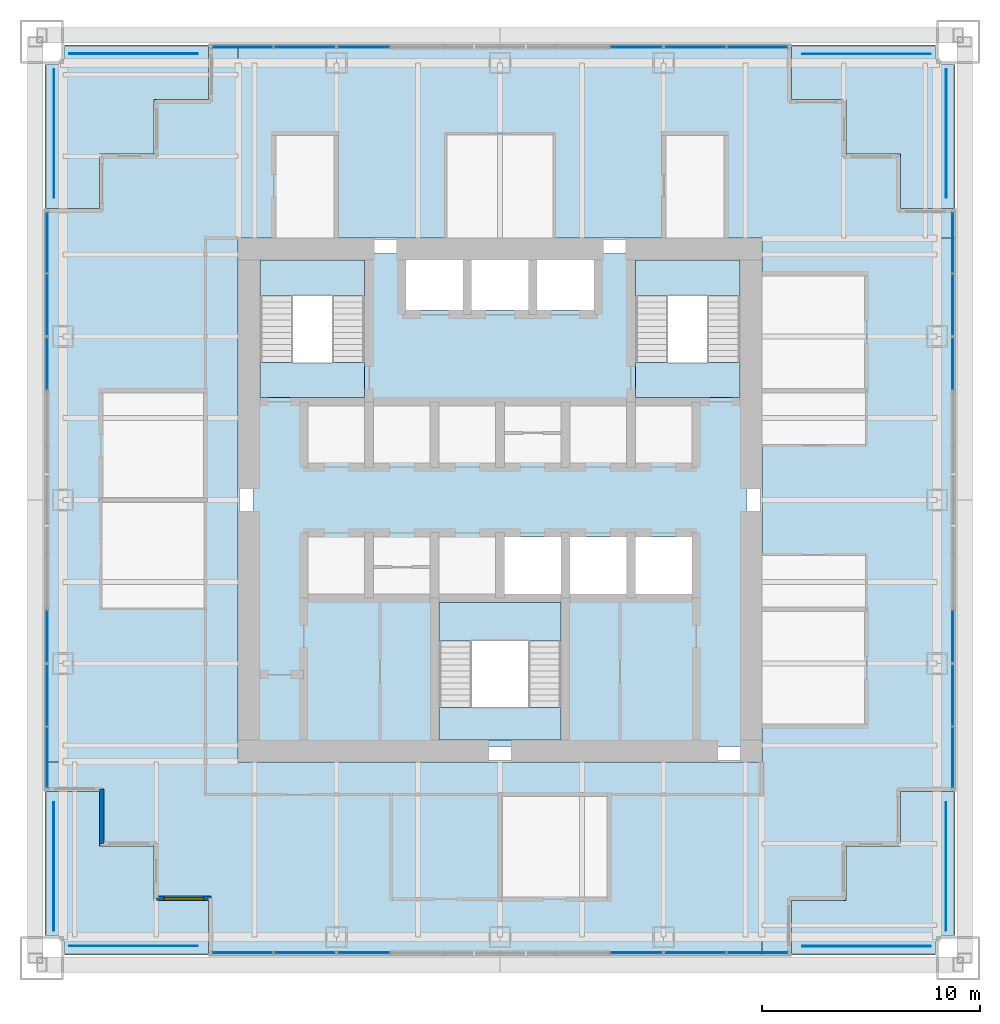
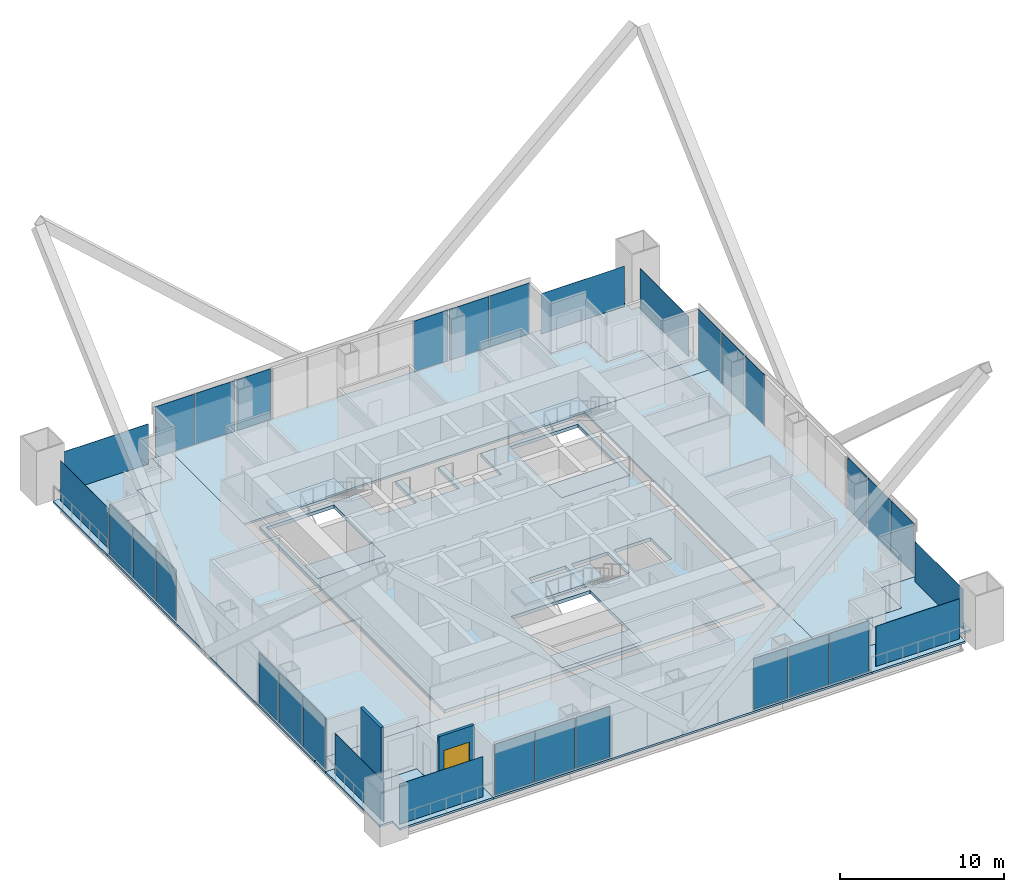
# One storey, part 11 of 17: 32 plates, 15 slabs, 2 walls, 1 window, 1 opening, 19 elements without a shape of their own.
"""IFC4 building model written with IfcOpenShell, lengths in metres."""

from ifc_helpers import new_model, si_unit, direction, frame, frame_2d, origin, origin_2d, place, context, subcontext, project, spatial, polyline, rectangle, outline, extrude, material, layer, layer_set, type_object, element, fill, aggregate, save


model = new_model("IFC4")

# Units and contexts
model_context = context("Model", 3, precision=1e-05, world=origin(), true_north=direction((0.0, 1.0)))
body_context = subcontext(model_context, "Body", "Model", "MODEL_VIEW")
ifc_project = project(units=[si_unit("LENGTHUNIT", "METRE"), si_unit("AREAUNIT", "SQUARE_METRE"), si_unit("VOLUMEUNIT", "CUBIC_METRE"), si_unit("PLANEANGLEUNIT", "RADIAN"), si_unit("MASSUNIT", "GRAM", prefix="KILO")], contexts=[model_context])

# Site, building, storey
site_placement = place(None, origin())
site = spatial("IfcSite", under=ifc_project, at=site_placement, CompositionType="ELEMENT")
building_placement = place(site_placement, origin())
building = spatial("IfcBuilding", under=site, at=building_placement, Name="Tarangal Relay Tower", CompositionType="ELEMENT")
storey_placement = place(building_placement, frame((0.0, 0.0, 315.89990234375)))
storey = spatial("IfcBuildingStorey", under=building, at=storey_placement, Name="L70", CompositionType="ELEMENT", Elevation=315.89990234375)

# Slabs
ifc_material_1 = material(Name="Concrete fc' 35 MPa", Category="concrete")
ifc_layer_1 = layer(ifc_material_1, 0.25)
ifc_layer_set_1 = layer_set([ifc_layer_1], Name="Core floor slab 250")
slab_type_1 = type_object("IfcSlabType", Name="Core floor slab 250", PredefinedType="FLOOR", material=ifc_layer_set_1)
slab_1_placement = place(storey_placement, frame((0.0, 0.0, -0.25)))
element("IfcSlab", 1, at=slab_1_placement, inside=storey, type_object=slab_type_1, Name="Core floor slab L70", PredefinedType="FLOOR", context=body_context, shape_type="SweptSolid", body=[
    extrude(outline(polyline([(11.300048828125, 11.300048828125), (11.300048828125, -11.300048828125), (-11.300048828125, -11.300048828125), (-11.300048828125, 11.300048828125), (-4.300048828125, 11.300048828125), (-4.300048828125, 8.699951171875), (-1.699951171875, 8.699951171875), (-1.699951171875, 11.300048828125), (-1.300048828125, 11.300048828125), (-1.300048828125, 8.699951171875), (1.300048828125, 8.699951171875), (1.300048828125, 11.300048828125), (1.699951171875, 11.300048828125), (1.699951171875, 8.699951171875), (4.300048828125, 8.699951171875), (4.300048828125, 11.300048828125), (11.300048828125, 11.300048828125)]), holes=[polyline([(2.800048828125, -4.699951171875), (-2.800048828125, -4.699951171875), (-2.800048828125, -11.0), (2.800048828125, -11.0), (2.800048828125, -4.699951171875)]), polyline([(2.800048828125, -1.699951171875), (0.199951171875, -1.699951171875), (0.199951171875, -4.300048828125), (2.800048828125, -4.300048828125), (2.800048828125, -1.699951171875)]), polyline([(5.800048828125, -1.699951171875), (3.199951171875, -1.699951171875), (3.199951171875, -4.300048828125), (5.800048828125, -4.300048828125), (5.800048828125, -1.699951171875)]), polyline([(8.800048828125, -1.699951171875), (6.199951171875, -1.699951171875), (6.199951171875, -4.300048828125), (8.800048828125, -4.300048828125), (8.800048828125, -1.699951171875)]), polyline([(-6.199951171875, 11.0), (-11.0, 11.0), (-11.0, 4.699951171875), (-6.199951171875, 4.699951171875), (-6.199951171875, 11.0)]), polyline([(11.0, 11.0), (6.199951171875, 11.0), (6.199951171875, 4.699951171875), (11.0, 4.699951171875), (11.0, 11.0)])]), origin(), (0.0, 0.0, 1.0), 0.25),
])
ifc_layer_2 = layer(ifc_material_1, 0.14990234375)
ifc_layer_set_2 = layer_set([ifc_layer_2], Name="Floor slab 150")
slab_type_2 = type_object("IfcSlabType", Name="Floor slab 150", PredefinedType="FLOOR", material=ifc_layer_set_2)
slab_2_placement = place(storey_placement, frame((0.0, 0.0, -0.14990234375)))
element("IfcSlab", 2, at=slab_2_placement, inside=storey, type_object=slab_type_2, Name="Floor slab FS3 L70 north bay", PredefinedType="FLOOR", context=body_context, shape_type="SweptSolid", body=[
    extrude(outline(polyline([(13.35009765625, 20.85009765625), (13.35009765625, 18.35009765625), (15.85009765625, 18.35009765625), (15.85009765625, 15.85009765625), (18.35009765625, 15.85009765625), (18.35009765625, 13.35009765625), (20.85009765625, 13.35009765625), (20.85009765625, 12.0), (-12.0, 12.0), (-12.0, 20.85009765625), (13.35009765625, 20.85009765625)])), origin(), (0.0, 0.0, 1.0), 0.14990234375),
])
slab_3_placement = place(storey_placement, frame((0.0, 0.0, -0.14990234375)))
element("IfcSlab", 3, at=slab_3_placement, inside=storey, type_object=slab_type_2, Name="Floor slab FS3 L70 east bay", PredefinedType="FLOOR", context=body_context, shape_type="SweptSolid", body=[
    extrude(outline(polyline([(20.85009765625, -13.35009765625), (18.35009765625, -13.35009765625), (18.35009765625, -15.85009765625), (15.85009765625, -15.85009765625), (15.85009765625, -18.35009765625), (13.35009765625, -18.35009765625), (13.35009765625, -20.85009765625), (12.0, -20.85009765625), (12.0, 12.0), (20.85009765625, 12.0), (20.85009765625, -13.35009765625)])), origin(), (0.0, 0.0, 1.0), 0.14990234375),
])
slab_4_placement = place(storey_placement, frame((0.0, 0.0, -0.14990234375)))
element("IfcSlab", 4, at=slab_4_placement, inside=storey, type_object=slab_type_2, Name="Floor slab FS3 L70 south bay", PredefinedType="FLOOR", context=body_context, shape_type="SweptSolid", body=[
    extrude(outline(polyline([(-13.35009765625, -20.85009765625), (-13.35009765625, -18.35009765625), (-15.85009765625, -18.35009765625), (-15.85009765625, -15.85009765625), (-18.35009765625, -15.85009765625), (-18.35009765625, -13.35009765625), (-20.85009765625, -13.35009765625), (-20.85009765625, -12.0), (12.0, -12.0), (12.0, -20.85009765625), (-13.35009765625, -20.85009765625)])), origin(), (0.0, 0.0, 1.0), 0.14990234375),
])
slab_5_placement = place(storey_placement, frame((0.0, 0.0, -0.14990234375)))
element("IfcSlab", 5, at=slab_5_placement, inside=storey, type_object=slab_type_2, Name="Floor slab FS3 L70 west bay", PredefinedType="FLOOR", context=body_context, shape_type="SweptSolid", body=[
    extrude(outline(polyline([(-12.0, 20.85009765625), (-12.0, -12.0), (-20.85009765625, -12.0), (-20.85009765625, 13.35009765625), (-18.35009765625, 13.35009765625), (-18.35009765625, 15.85009765625), (-15.85009765625, 15.85009765625), (-15.85009765625, 18.35009765625), (-13.35009765625, 18.35009765625), (-13.35009765625, 20.85009765625), (-12.0, 20.85009765625)])), origin(), (0.0, 0.0, 1.0), 0.14990234375),
])

# Curtain wall, plates
ifc_material_2 = material(Name="Unitised curtain wall, dark glass and black aluminium", Category="aluminium")
curtain_wall_type = type_object("IfcCurtainWallType", Name="Curtain wall CW-B", PredefinedType="USERDEFINED", material=ifc_material_2)
curtain_wall_1_placement = place(storey_placement, origin())
curtain_wall_1 = element("IfcCurtainWall", 6, at=curtain_wall_1_placement, inside=storey, type_object=curtain_wall_type, Name="Curtain wall CW-B N facade L70", ObjectType="UNITISED CURTAIN WALL", PredefinedType="USERDEFINED")
ifc_material_3 = material(Name="Dark tinted insulated glass unit", Category="glass")
ifc_layer_3 = layer(ifc_material_3, 0.030029296875)
ifc_layer_set_3 = layer_set([ifc_layer_3], Name="Glazed panel CW-B 30")
plate_type_1 = type_object("IfcPlateType", Name="Glazed panel CW-B 30", PredefinedType="CURTAIN_PANEL", material=ifc_layer_set_3)
plate_1_placement = place(storey_placement, frame((-11.797607421875, 20.75, 0.06005859375), z_axis=(0.0, 0.0, 1.0), x_axis=(1.0, 0.0, 0.0)))
plate_1 = element("IfcPlate", 7, at=plate_1_placement, type_object=plate_type_1, Name="CW-B panel 1.1", PredefinedType="CURTAIN_PANEL", context=body_context, shape_type="SweptSolid", body=[
    extrude(rectangle(XDim=2.784912109375, YDim=0.030029296875, at=origin_2d()), origin(), (0.0, 0.0, 1.0), 3.7900390625),
])
plate_2_placement = place(storey_placement, frame((-8.952392578125, 20.75, 0.06005859375), z_axis=(0.0, 0.0, 1.0), x_axis=(1.0, 0.0, 0.0)))
plate_2 = element("IfcPlate", 8, at=plate_2_placement, type_object=plate_type_1, Name="CW-B panel 2.1", PredefinedType="CURTAIN_PANEL", context=body_context, shape_type="SweptSolid", body=[
    extrude(rectangle(XDim=2.784912109375, YDim=0.030029296875, at=origin_2d()), origin(), (0.0, 0.0, 1.0), 3.7900390625),
])
aggregate(curtain_wall_1, [plate_1, plate_2])

# Curtain wall, plate
curtain_wall_2_placement = place(storey_placement, origin())
curtain_wall_2 = element("IfcCurtainWall", 9, at=curtain_wall_2_placement, inside=storey, type_object=curtain_wall_type, Name="Curtain wall CW-B N facade L70", ObjectType="UNITISED CURTAIN WALL", PredefinedType="USERDEFINED")
plate_3_placement = place(storey_placement, frame((-6.25, 20.75, 0.06005859375), z_axis=(0.0, 0.0, 1.0), x_axis=(1.0, 0.0, 0.0)))
plate_3 = element("IfcPlate", 10, at=plate_3_placement, type_object=plate_type_1, Name="CW-B panel 1.1", PredefinedType="CURTAIN_PANEL", context=body_context, shape_type="SweptSolid", body=[
    extrude(rectangle(XDim=2.3798828125, YDim=0.030029296875, at=origin_2d()), origin(), (0.0, 0.0, 1.0), 3.7900390625),
])
aggregate(curtain_wall_2, [plate_3])

curtain_wall_3_placement = place(storey_placement, origin())
curtain_wall_3 = element("IfcCurtainWall", 11, at=curtain_wall_3_placement, inside=storey, type_object=curtain_wall_type, Name="Curtain wall CW-B N facade L70", ObjectType="UNITISED CURTAIN WALL", PredefinedType="USERDEFINED")
plate_4_placement = place(storey_placement, frame((6.25, 20.75, 0.06005859375), z_axis=(0.0, 0.0, 1.0), x_axis=(1.0, 0.0, 0.0)))
plate_4 = element("IfcPlate", 12, at=plate_4_placement, type_object=plate_type_1, Name="CW-B panel 1.1", PredefinedType="CURTAIN_PANEL", context=body_context, shape_type="SweptSolid", body=[
    extrude(rectangle(XDim=2.3798828125, YDim=0.030029296875, at=origin_2d()), origin(), (0.0, 0.0, 1.0), 3.7900390625),
])
aggregate(curtain_wall_3, [plate_4])

# Curtain wall, plates
curtain_wall_4_placement = place(storey_placement, origin())
curtain_wall_4 = element("IfcCurtainWall", 13, at=curtain_wall_4_placement, inside=storey, type_object=curtain_wall_type, Name="Curtain wall CW-B N facade L70", ObjectType="UNITISED CURTAIN WALL", PredefinedType="USERDEFINED")
plate_5_placement = place(storey_placement, frame((8.952392578125, 20.75, 0.06005859375), z_axis=(0.0, 0.0, 1.0), x_axis=(1.0, 0.0, 0.0)))
plate_5 = element("IfcPlate", 14, at=plate_5_placement, type_object=plate_type_1, Name="CW-B panel 1.1", PredefinedType="CURTAIN_PANEL", context=body_context, shape_type="SweptSolid", body=[
    extrude(rectangle(XDim=2.784912109375, YDim=0.030029296875, at=origin_2d()), origin(), (0.0, 0.0, 1.0), 3.7900390625),
])
plate_6_placement = place(storey_placement, frame((11.797607421875, 20.75, 0.06005859375), z_axis=(0.0, 0.0, 1.0), x_axis=(1.0, 0.0, 0.0)))
plate_6 = element("IfcPlate", 15, at=plate_6_placement, type_object=plate_type_1, Name="CW-B panel 2.1", PredefinedType="CURTAIN_PANEL", context=body_context, shape_type="SweptSolid", body=[
    extrude(rectangle(XDim=2.784912109375, YDim=0.030029296875, at=origin_2d()), origin(), (0.0, 0.0, 1.0), 3.7900390625),
])
aggregate(curtain_wall_4, [plate_5, plate_6])

curtain_wall_5_placement = place(storey_placement, origin())
curtain_wall_5 = element("IfcCurtainWall", 16, at=curtain_wall_5_placement, inside=storey, type_object=curtain_wall_type, Name="Curtain wall CW-B E facade L70", ObjectType="UNITISED CURTAIN WALL", PredefinedType="USERDEFINED")
plate_7_placement = place(storey_placement, frame((20.75, 11.797607421875, 0.06005859375), z_axis=(0.0, 0.0, 1.0), x_axis=(0.0, -1.0, 0.0)))
plate_7 = element("IfcPlate", 17, at=plate_7_placement, type_object=plate_type_1, Name="CW-B panel 1.1", PredefinedType="CURTAIN_PANEL", context=body_context, shape_type="SweptSolid", body=[
    extrude(rectangle(XDim=2.784912109375, YDim=0.030029296875, at=origin_2d()), origin(), (0.0, 0.0, 1.0), 3.7900390625),
])
plate_8_placement = place(storey_placement, frame((20.75, 8.952392578125, 0.06005859375), z_axis=(0.0, 0.0, 1.0), x_axis=(0.0, -1.0, 0.0)))
plate_8 = element("IfcPlate", 18, at=plate_8_placement, type_object=plate_type_1, Name="CW-B panel 2.1", PredefinedType="CURTAIN_PANEL", context=body_context, shape_type="SweptSolid", body=[
    extrude(rectangle(XDim=2.784912109375, YDim=0.030029296875, at=origin_2d()), origin(), (0.0, 0.0, 1.0), 3.7900390625),
])
aggregate(curtain_wall_5, [plate_7, plate_8])

# Curtain wall, plate
curtain_wall_6_placement = place(storey_placement, origin())
curtain_wall_6 = element("IfcCurtainWall", 19, at=curtain_wall_6_placement, inside=storey, type_object=curtain_wall_type, Name="Curtain wall CW-B E facade L70", ObjectType="UNITISED CURTAIN WALL", PredefinedType="USERDEFINED")
plate_9_placement = place(storey_placement, frame((20.75, 6.25, 0.06005859375), z_axis=(0.0, 0.0, 1.0), x_axis=(0.0, -1.0, 0.0)))
plate_9 = element("IfcPlate", 20, at=plate_9_placement, type_object=plate_type_1, Name="CW-B panel 1.1", PredefinedType="CURTAIN_PANEL", context=body_context, shape_type="SweptSolid", body=[
    extrude(rectangle(XDim=2.3798828125, YDim=0.030029296875, at=origin_2d()), origin(), (0.0, 0.0, 1.0), 3.7900390625),
])
aggregate(curtain_wall_6, [plate_9])

curtain_wall_7_placement = place(storey_placement, origin())
curtain_wall_7 = element("IfcCurtainWall", 21, at=curtain_wall_7_placement, inside=storey, type_object=curtain_wall_type, Name="Curtain wall CW-B E facade L70", ObjectType="UNITISED CURTAIN WALL", PredefinedType="USERDEFINED")
plate_10_placement = place(storey_placement, frame((20.75, -6.25, 0.06005859375), z_axis=(0.0, 0.0, 1.0), x_axis=(0.0, -1.0, 0.0)))
plate_10 = element("IfcPlate", 22, at=plate_10_placement, type_object=plate_type_1, Name="CW-B panel 1.1", PredefinedType="CURTAIN_PANEL", context=body_context, shape_type="SweptSolid", body=[
    extrude(rectangle(XDim=2.3798828125, YDim=0.030029296875, at=origin_2d()), origin(), (0.0, 0.0, 1.0), 3.7900390625),
])
aggregate(curtain_wall_7, [plate_10])

# Curtain wall, plates
curtain_wall_8_placement = place(storey_placement, origin())
curtain_wall_8 = element("IfcCurtainWall", 23, at=curtain_wall_8_placement, inside=storey, type_object=curtain_wall_type, Name="Curtain wall CW-B E facade L70", ObjectType="UNITISED CURTAIN WALL", PredefinedType="USERDEFINED")
plate_11_placement = place(storey_placement, frame((20.75, -8.952392578125, 0.06005859375), z_axis=(0.0, 0.0, 1.0), x_axis=(0.0, -1.0, 0.0)))
plate_11 = element("IfcPlate", 24, at=plate_11_placement, type_object=plate_type_1, Name="CW-B panel 1.1", PredefinedType="CURTAIN_PANEL", context=body_context, shape_type="SweptSolid", body=[
    extrude(rectangle(XDim=2.784912109375, YDim=0.030029296875, at=origin_2d()), origin(), (0.0, 0.0, 1.0), 3.7900390625),
])
plate_12_placement = place(storey_placement, frame((20.75, -11.797607421875, 0.06005859375), z_axis=(0.0, 0.0, 1.0), x_axis=(0.0, -1.0, 0.0)))
plate_12 = element("IfcPlate", 25, at=plate_12_placement, type_object=plate_type_1, Name="CW-B panel 2.1", PredefinedType="CURTAIN_PANEL", context=body_context, shape_type="SweptSolid", body=[
    extrude(rectangle(XDim=2.784912109375, YDim=0.030029296875, at=origin_2d()), origin(), (0.0, 0.0, 1.0), 3.7900390625),
])
aggregate(curtain_wall_8, [plate_11, plate_12])

curtain_wall_9_placement = place(storey_placement, origin())
curtain_wall_9 = element("IfcCurtainWall", 26, at=curtain_wall_9_placement, inside=storey, type_object=curtain_wall_type, Name="Curtain wall CW-B S facade L70", ObjectType="UNITISED CURTAIN WALL", PredefinedType="USERDEFINED")
plate_13_placement = place(storey_placement, frame((11.797607421875, -20.75, 0.06005859375), z_axis=(0.0, 0.0, 1.0), x_axis=(-1.0, 0.0, 0.0)))
plate_13 = element("IfcPlate", 27, at=plate_13_placement, type_object=plate_type_1, Name="CW-B panel 1.1", PredefinedType="CURTAIN_PANEL", context=body_context, shape_type="SweptSolid", body=[
    extrude(rectangle(XDim=2.784912109375, YDim=0.030029296875, at=origin_2d()), origin(), (0.0, 0.0, 1.0), 3.7900390625),
])
plate_14_placement = place(storey_placement, frame((8.952392578125, -20.75, 0.06005859375), z_axis=(0.0, 0.0, 1.0), x_axis=(-1.0, 0.0, 0.0)))
plate_14 = element("IfcPlate", 28, at=plate_14_placement, type_object=plate_type_1, Name="CW-B panel 2.1", PredefinedType="CURTAIN_PANEL", context=body_context, shape_type="SweptSolid", body=[
    extrude(rectangle(XDim=2.784912109375, YDim=0.030029296875, at=origin_2d()), origin(), (0.0, 0.0, 1.0), 3.7900390625),
])
aggregate(curtain_wall_9, [plate_13, plate_14])

# Curtain wall, plate
curtain_wall_10_placement = place(storey_placement, origin())
curtain_wall_10 = element("IfcCurtainWall", 29, at=curtain_wall_10_placement, inside=storey, type_object=curtain_wall_type, Name="Curtain wall CW-B S facade L70", ObjectType="UNITISED CURTAIN WALL", PredefinedType="USERDEFINED")
plate_15_placement = place(storey_placement, frame((6.25, -20.75, 0.06005859375), z_axis=(0.0, 0.0, 1.0), x_axis=(-1.0, 0.0, 0.0)))
plate_15 = element("IfcPlate", 30, at=plate_15_placement, type_object=plate_type_1, Name="CW-B panel 1.1", PredefinedType="CURTAIN_PANEL", context=body_context, shape_type="SweptSolid", body=[
    extrude(rectangle(XDim=2.3798828125, YDim=0.030029296875, at=origin_2d()), origin(), (0.0, 0.0, 1.0), 3.7900390625),
])
aggregate(curtain_wall_10, [plate_15])

curtain_wall_11_placement = place(storey_placement, origin())
curtain_wall_11 = element("IfcCurtainWall", 31, at=curtain_wall_11_placement, inside=storey, type_object=curtain_wall_type, Name="Curtain wall CW-B S facade L70", ObjectType="UNITISED CURTAIN WALL", PredefinedType="USERDEFINED")
plate_16_placement = place(storey_placement, frame((-6.25, -20.75, 0.06005859375), z_axis=(0.0, 0.0, 1.0), x_axis=(-1.0, 0.0, 0.0)))
plate_16 = element("IfcPlate", 32, at=plate_16_placement, type_object=plate_type_1, Name="CW-B panel 1.1", PredefinedType="CURTAIN_PANEL", context=body_context, shape_type="SweptSolid", body=[
    extrude(rectangle(XDim=2.3798828125, YDim=0.030029296875, at=origin_2d()), origin(), (0.0, 0.0, 1.0), 3.7900390625),
])
aggregate(curtain_wall_11, [plate_16])

# Curtain wall, plates
curtain_wall_12_placement = place(storey_placement, origin())
curtain_wall_12 = element("IfcCurtainWall", 33, at=curtain_wall_12_placement, inside=storey, type_object=curtain_wall_type, Name="Curtain wall CW-B S facade L70", ObjectType="UNITISED CURTAIN WALL", PredefinedType="USERDEFINED")
plate_17_placement = place(storey_placement, frame((-8.952392578125, -20.75, 0.06005859375), z_axis=(0.0, 0.0, 1.0), x_axis=(-1.0, 0.0, 0.0)))
plate_17 = element("IfcPlate", 34, at=plate_17_placement, type_object=plate_type_1, Name="CW-B panel 1.1", PredefinedType="CURTAIN_PANEL", context=body_context, shape_type="SweptSolid", body=[
    extrude(rectangle(XDim=2.784912109375, YDim=0.030029296875, at=origin_2d()), origin(), (0.0, 0.0, 1.0), 3.7900390625),
])
plate_18_placement = place(storey_placement, frame((-11.797607421875, -20.75, 0.06005859375), z_axis=(0.0, 0.0, 1.0), x_axis=(-1.0, 0.0, 0.0)))
plate_18 = element("IfcPlate", 35, at=plate_18_placement, type_object=plate_type_1, Name="CW-B panel 2.1", PredefinedType="CURTAIN_PANEL", context=body_context, shape_type="SweptSolid", body=[
    extrude(rectangle(XDim=2.784912109375, YDim=0.030029296875, at=origin_2d()), origin(), (0.0, 0.0, 1.0), 3.7900390625),
])
aggregate(curtain_wall_12, [plate_17, plate_18])

curtain_wall_13_placement = place(storey_placement, origin())
curtain_wall_13 = element("IfcCurtainWall", 36, at=curtain_wall_13_placement, inside=storey, type_object=curtain_wall_type, Name="Curtain wall CW-B W facade L70", ObjectType="UNITISED CURTAIN WALL", PredefinedType="USERDEFINED")
plate_19_placement = place(storey_placement, frame((-20.75, -11.797607421875, 0.06005859375), z_axis=(0.0, 0.0, 1.0), x_axis=(0.0, 1.0, 0.0)))
plate_19 = element("IfcPlate", 37, at=plate_19_placement, type_object=plate_type_1, Name="CW-B panel 1.1", PredefinedType="CURTAIN_PANEL", context=body_context, shape_type="SweptSolid", body=[
    extrude(rectangle(XDim=2.784912109375, YDim=0.030029296875, at=origin_2d()), origin(), (0.0, 0.0, 1.0), 3.7900390625),
])
plate_20_placement = place(storey_placement, frame((-20.75, -8.952392578125, 0.06005859375), z_axis=(0.0, 0.0, 1.0), x_axis=(0.0, 1.0, 0.0)))
plate_20 = element("IfcPlate", 38, at=plate_20_placement, type_object=plate_type_1, Name="CW-B panel 2.1", PredefinedType="CURTAIN_PANEL", context=body_context, shape_type="SweptSolid", body=[
    extrude(rectangle(XDim=2.784912109375, YDim=0.030029296875, at=origin_2d()), origin(), (0.0, 0.0, 1.0), 3.7900390625),
])
aggregate(curtain_wall_13, [plate_19, plate_20])

# Curtain wall, plate
curtain_wall_14_placement = place(storey_placement, origin())
curtain_wall_14 = element("IfcCurtainWall", 39, at=curtain_wall_14_placement, inside=storey, type_object=curtain_wall_type, Name="Curtain wall CW-B W facade L70", ObjectType="UNITISED CURTAIN WALL", PredefinedType="USERDEFINED")
plate_21_placement = place(storey_placement, frame((-20.75, -6.25, 0.06005859375), z_axis=(0.0, 0.0, 1.0), x_axis=(0.0, 1.0, 0.0)))
plate_21 = element("IfcPlate", 40, at=plate_21_placement, type_object=plate_type_1, Name="CW-B panel 1.1", PredefinedType="CURTAIN_PANEL", context=body_context, shape_type="SweptSolid", body=[
    extrude(rectangle(XDim=2.3798828125, YDim=0.030029296875, at=origin_2d()), origin(), (0.0, 0.0, 1.0), 3.7900390625),
])
aggregate(curtain_wall_14, [plate_21])

curtain_wall_15_placement = place(storey_placement, origin())
curtain_wall_15 = element("IfcCurtainWall", 41, at=curtain_wall_15_placement, inside=storey, type_object=curtain_wall_type, Name="Curtain wall CW-B W facade L70", ObjectType="UNITISED CURTAIN WALL", PredefinedType="USERDEFINED")
plate_22_placement = place(storey_placement, frame((-20.75, 6.25, 0.06005859375), z_axis=(0.0, 0.0, 1.0), x_axis=(0.0, 1.0, 0.0)))
plate_22 = element("IfcPlate", 42, at=plate_22_placement, type_object=plate_type_1, Name="CW-B panel 1.1", PredefinedType="CURTAIN_PANEL", context=body_context, shape_type="SweptSolid", body=[
    extrude(rectangle(XDim=2.3798828125, YDim=0.030029296875, at=origin_2d()), origin(), (0.0, 0.0, 1.0), 3.7900390625),
])
aggregate(curtain_wall_15, [plate_22])

# Curtain wall, plates
curtain_wall_16_placement = place(storey_placement, origin())
curtain_wall_16 = element("IfcCurtainWall", 43, at=curtain_wall_16_placement, inside=storey, type_object=curtain_wall_type, Name="Curtain wall CW-B W facade L70", ObjectType="UNITISED CURTAIN WALL", PredefinedType="USERDEFINED")
plate_23_placement = place(storey_placement, frame((-20.75, 8.952392578125, 0.06005859375), z_axis=(0.0, 0.0, 1.0), x_axis=(0.0, 1.0, 0.0)))
plate_23 = element("IfcPlate", 44, at=plate_23_placement, type_object=plate_type_1, Name="CW-B panel 1.1", PredefinedType="CURTAIN_PANEL", context=body_context, shape_type="SweptSolid", body=[
    extrude(rectangle(XDim=2.784912109375, YDim=0.030029296875, at=origin_2d()), origin(), (0.0, 0.0, 1.0), 3.7900390625),
])
plate_24_placement = place(storey_placement, frame((-20.75, 11.797607421875, 0.06005859375), z_axis=(0.0, 0.0, 1.0), x_axis=(0.0, 1.0, 0.0)))
plate_24 = element("IfcPlate", 45, at=plate_24_placement, type_object=plate_type_1, Name="CW-B panel 2.1", PredefinedType="CURTAIN_PANEL", context=body_context, shape_type="SweptSolid", body=[
    extrude(rectangle(XDim=2.784912109375, YDim=0.030029296875, at=origin_2d()), origin(), (0.0, 0.0, 1.0), 3.7900390625),
])
aggregate(curtain_wall_16, [plate_23, plate_24])

# Plates
ifc_material_4 = material(Name="Black stainless steel cable trellis with climbing planting", Category="steel")
ifc_layer_4 = layer(ifc_material_4, 0.030029296875)
ifc_layer_set_4 = layer_set([ifc_layer_4], Name="Planted trellis screen")
plate_type_2 = type_object("IfcPlateType", Name="Planted trellis screen", PredefinedType="SHEET", material=ifc_layer_set_4)
for number, where, z_axis, x_axis, name in (
    (46, (20.449951171875, 16.800048828125, 0.0), (0.0, 0.0, 1.0), (0.0, -1.0, 0.0), "Planted trellis SC2 NE L70"),
    (47, (16.800048828125, -20.449951171875, 0.0), (0.0, 0.0, 1.0), (-1.0, 0.0, 0.0), "Planted trellis SC2 SE L70"),
    (48, (-20.449951171875, -16.800048828125, 0.0), (0.0, 0.0, 1.0), (0.0, 1.0, 0.0), "Planted trellis SC2 SW L70"),
    (49, (-16.800048828125, 20.449951171875, 0.0), (0.0, 0.0, 1.0), (1.0, 0.0, 0.0), "Planted trellis SC2 NW L70"),
):
    element("IfcPlate", number, at=place(storey_placement, frame(where, z_axis=z_axis, x_axis=x_axis)), inside=storey, type_object=plate_type_2, Name=name, PredefinedType="SHEET", context=body_context, shape_type="SweptSolid", body=[
        extrude(rectangle(XDim=5.89990234375, YDim=0.030029296875, at=origin_2d()), origin(), (0.0, 0.0, 1.0), 3.0),
    ])

# Stair, slabs
ifc_material_5 = material(Name="Steel ASTM A992 stair flight", Category="steel")
stair_type = type_object("IfcStairType", Name="Core stair 1500", PredefinedType="HALF_TURN_STAIR", material=ifc_material_5)
stair_1_placement = place(storey_placement, origin())
stair_1 = element("IfcStair", 50, at=stair_1_placement, inside=storey, type_object=stair_type, Name="Stair ST-A L70", PredefinedType="HALF_TURN_STAIR")
ifc_layer_5 = layer(ifc_material_1, 0.199951171875)
ifc_layer_set_5 = layer_set([ifc_layer_5], Name="Stair landing 200")
slab_type_3 = type_object("IfcSlabType", Name="Stair landing 200", PredefinedType="LANDING", material=ifc_layer_set_5)
slab_6_placement = place(storey_placement, frame((0.0, 0.0, -0.199951171875)))
slab_6 = element("IfcSlab", 51, at=slab_6_placement, type_object=slab_type_3, Name="ST-A landing 1", PredefinedType="LANDING", context=body_context, shape_type="SweptSolid", body=[
    extrude(outline(polyline([(-11.0, 4.699951171875), (-6.199951171875, 4.699951171875), (-6.199951171875, 6.300048828125), (-11.0, 6.300048828125), (-11.0, 4.699951171875)])), origin(), (0.0, 0.0, 1.0), 0.199951171875),
])
slab_7_placement = place(storey_placement, frame((0.0, 0.0, 1.800048828125)))
slab_7 = element("IfcSlab", 52, at=slab_7_placement, type_object=slab_type_3, Name="ST-A landing 2", PredefinedType="LANDING", context=body_context, shape_type="SweptSolid", body=[
    extrude(outline(polyline([(-11.0, 9.346923828125), (-6.199951171875, 9.346923828125), (-6.199951171875, 11.0), (-11.0, 11.0), (-11.0, 9.346923828125)])), origin(), (0.0, 0.0, 1.0), 0.199951171875),
])
aggregate(stair_1, [slab_6, slab_7])

stair_2_placement = place(storey_placement, origin())
stair_2 = element("IfcStair", 53, at=stair_2_placement, inside=storey, type_object=stair_type, Name="Stair ST-B L70", PredefinedType="HALF_TURN_STAIR")
slab_8_placement = place(storey_placement, frame((0.0, 0.0, -0.199951171875)))
slab_8 = element("IfcSlab", 54, at=slab_8_placement, type_object=slab_type_3, Name="ST-B landing 1", PredefinedType="LANDING", context=body_context, shape_type="SweptSolid", body=[
    extrude(outline(polyline([(6.199951171875, 4.699951171875), (11.0, 4.699951171875), (11.0, 6.300048828125), (6.199951171875, 6.300048828125), (6.199951171875, 4.699951171875)])), origin(), (0.0, 0.0, 1.0), 0.199951171875),
])
slab_9_placement = place(storey_placement, frame((0.0, 0.0, 1.800048828125)))
slab_9 = element("IfcSlab", 55, at=slab_9_placement, type_object=slab_type_3, Name="ST-B landing 2", PredefinedType="LANDING", context=body_context, shape_type="SweptSolid", body=[
    extrude(outline(polyline([(6.199951171875, 9.346923828125), (11.0, 9.346923828125), (11.0, 11.0), (6.199951171875, 11.0), (6.199951171875, 9.346923828125)])), origin(), (0.0, 0.0, 1.0), 0.199951171875),
])
aggregate(stair_2, [slab_8, slab_9])

stair_3_placement = place(storey_placement, origin())
stair_3 = element("IfcStair", 56, at=stair_3_placement, inside=storey, type_object=stair_type, Name="Stair ST-C L70", PredefinedType="HALF_TURN_STAIR")
slab_10_placement = place(storey_placement, frame((0.0, 0.0, -0.199951171875)))
slab_10 = element("IfcSlab", 57, at=slab_10_placement, type_object=slab_type_3, Name="ST-C landing 1", PredefinedType="LANDING", context=body_context, shape_type="SweptSolid", body=[
    extrude(outline(polyline([(-2.800048828125, -11.0), (2.800048828125, -11.0), (2.800048828125, -9.5), (-2.800048828125, -9.5), (-2.800048828125, -11.0)])), origin(), (0.0, 0.0, 1.0), 0.199951171875),
])
slab_11_placement = place(storey_placement, frame((0.0, 0.0, 1.800048828125)))
slab_11 = element("IfcSlab", 58, at=slab_11_placement, type_object=slab_type_3, Name="ST-C landing 2", PredefinedType="LANDING", context=body_context, shape_type="SweptSolid", body=[
    extrude(outline(polyline([(-2.800048828125, -6.452880859375), (2.800048828125, -6.452880859375), (2.800048828125, -4.699951171875), (-2.800048828125, -4.699951171875), (-2.800048828125, -6.452880859375)])), origin(), (0.0, 0.0, 1.0), 0.199951171875),
])
aggregate(stair_3, [slab_10, slab_11])

# Plates
ifc_material_6 = material(Name="Perforated black aluminium screen", Category="aluminium")
ifc_layer_6 = layer(ifc_material_6, 0.02001953125)
ifc_layer_set_6 = layer_set([ifc_layer_6], Name="Terrace screen panel")
plate_type_3 = type_object("IfcPlateType", Name="Terrace screen panel", PredefinedType="SHEET", material=ifc_layer_set_6)
for number, where, z_axis, x_axis, name in (
    (59, (16.800048828125, 20.449951171875, 0.0), (0.0, 0.0, 1.0), (1.0, 0.0, 0.0), "Terrace screen SC1 NE L70"),
    (60, (20.449951171875, -16.800048828125, 0.0), (0.0, 0.0, 1.0), (0.0, -1.0, 0.0), "Terrace screen SC1 SE L70"),
    (61, (-16.800048828125, -20.449951171875, 0.0), (0.0, 0.0, 1.0), (-1.0, 0.0, 0.0), "Terrace screen SC1 SW L70"),
    (62, (-20.449951171875, 16.800048828125, 0.0), (0.0, 0.0, 1.0), (0.0, 1.0, 0.0), "Terrace screen SC1 NW L70"),
):
    element("IfcPlate", number, at=place(storey_placement, frame(where, z_axis=z_axis, x_axis=x_axis)), inside=storey, type_object=plate_type_3, Name=name, PredefinedType="SHEET", context=body_context, shape_type="SweptSolid", body=[
        extrude(rectangle(XDim=5.89990234375, YDim=0.02001953125, at=origin_2d()), origin(), (0.0, 0.0, 1.0), 3.0),
    ])

# Slabs
ifc_layer_7 = layer(ifc_material_1, 0.14990234375)
ifc_layer_set_7 = layer_set([ifc_layer_7], Name="Terrace slab 150")
slab_type_4 = type_object("IfcSlabType", Name="Terrace slab 150", PredefinedType="FLOOR", material=ifc_layer_set_7)
slab_12_placement = place(storey_placement, frame((0.0, 0.0, -0.14990234375)))
element("IfcSlab", 63, at=slab_12_placement, inside=storey, type_object=slab_type_4, Name="Corner terrace NE L70", PredefinedType="FLOOR", context=body_context, shape_type="SweptSolid", body=[
    extrude(outline(polyline([(13.35009765625, 20.85009765625), (13.35009765625, 18.35009765625), (15.85009765625, 18.35009765625), (15.85009765625, 15.85009765625), (18.35009765625, 15.85009765625), (18.35009765625, 13.35009765625), (20.85009765625, 13.35009765625), (20.85009765625, 19.949951171875), (19.949951171875, 19.949951171875), (19.949951171875, 20.85009765625), (13.35009765625, 20.85009765625)])), origin(), (0.0, 0.0, 1.0), 0.14990234375),
])
slab_13_placement = place(storey_placement, frame((0.0, 0.0, -0.14990234375)))
element("IfcSlab", 64, at=slab_13_placement, inside=storey, type_object=slab_type_4, Name="Corner terrace SE L70", PredefinedType="FLOOR", context=body_context, shape_type="SweptSolid", body=[
    extrude(outline(polyline([(20.85009765625, -13.35009765625), (18.35009765625, -13.35009765625), (18.35009765625, -15.85009765625), (15.85009765625, -15.85009765625), (15.85009765625, -18.35009765625), (13.35009765625, -18.35009765625), (13.35009765625, -20.85009765625), (19.949951171875, -20.85009765625), (19.949951171875, -19.949951171875), (20.85009765625, -19.949951171875), (20.85009765625, -13.35009765625)])), origin(), (0.0, 0.0, 1.0), 0.14990234375),
])
slab_14_placement = place(storey_placement, frame((0.0, 0.0, -0.14990234375)))
element("IfcSlab", 65, at=slab_14_placement, inside=storey, type_object=slab_type_4, Name="Corner terrace SW L70", PredefinedType="FLOOR", context=body_context, shape_type="SweptSolid", body=[
    extrude(outline(polyline([(-13.35009765625, -20.85009765625), (-13.35009765625, -18.35009765625), (-15.85009765625, -18.35009765625), (-15.85009765625, -15.85009765625), (-18.35009765625, -15.85009765625), (-18.35009765625, -13.35009765625), (-20.85009765625, -13.35009765625), (-20.85009765625, -19.949951171875), (-19.949951171875, -19.949951171875), (-19.949951171875, -20.85009765625), (-13.35009765625, -20.85009765625)])), origin(), (0.0, 0.0, 1.0), 0.14990234375),
])
slab_15_placement = place(storey_placement, frame((0.0, 0.0, -0.14990234375)))
element("IfcSlab", 66, at=slab_15_placement, inside=storey, type_object=slab_type_4, Name="Corner terrace NW L70", PredefinedType="FLOOR", context=body_context, shape_type="SweptSolid", body=[
    extrude(outline(polyline([(-20.85009765625, 13.35009765625), (-18.35009765625, 13.35009765625), (-18.35009765625, 15.85009765625), (-15.85009765625, 15.85009765625), (-15.85009765625, 18.35009765625), (-13.35009765625, 18.35009765625), (-13.35009765625, 20.85009765625), (-19.949951171875, 20.85009765625), (-19.949951171875, 19.949951171875), (-20.85009765625, 19.949951171875), (-20.85009765625, 13.35009765625)])), origin(), (0.0, 0.0, 1.0), 0.14990234375),
])

# Wall, opening, window
ifc_material_7 = material(Name="Black metal clad insulated wall", Category="steel")
ifc_layer_8 = layer(ifc_material_7, 0.199951171875)
ifc_layer_set_8 = layer_set([ifc_layer_8], Name="Corner wall metal clad 200")
wall_type = type_object("IfcWallType", Name="Corner wall metal clad 200", PredefinedType="SOLIDWALL", material=ifc_layer_set_8)
wall_1_placement = place(storey_placement, frame((-13.25, -18.25, 0.0), z_axis=(0.0, 0.0, 1.0), x_axis=(-1.0, 0.0, 0.0)))
wall_1 = element("IfcWall", 67, at=wall_1_placement, inside=storey, type_object=wall_type, Name="Facade wall S facade L70", PredefinedType="SOLIDWALL", context=body_context, shape_type="SweptSolid", body=[
    extrude(rectangle(XDim=2.5, YDim=0.199951171875, at=frame_2d((1.25, 0.0))), origin(), (0.0, 0.0, 1.0), 3.85009765625),
])
opening_placement = place(wall_1_placement, frame((0.35009765625, 0.0, 0.300048828125)))
opening = element("IfcOpeningElement", 68, at=opening_placement, cuts=wall_1, Name="Opening WN2", PredefinedType="OPENING", context=body_context, shape_type="SweptSolid", body=[
    extrude(rectangle(XDim=1.800048828125, YDim=2.39990234375, at=frame_2d((0.89990234375, 1.199951171875))), frame((0.0, 0.10986328125, 0.0), z_axis=(0.0, -1.0, 0.0), x_axis=(1.0, 0.0, 0.0)), (0.0, 0.0, 1.0), 0.219970703125),
])
ifc_material_8 = material(Name="Dark tinted double glazing in black aluminium frame", Category="aluminium")
window_type = type_object("IfcWindowType", Name="Corner window 1800 x 2400", PartitioningType="SINGLE_PANEL", PredefinedType="WINDOW", material=ifc_material_8)
window_placement = place(opening_placement, origin())
window = element("IfcWindow", 69, at=window_placement, inside=storey, type_object=window_type, Name="Corner window WN2 S facade L70", OverallHeight=2.39990234375, OverallWidth=1.800048828125, PartitioningType="SINGLE_PANEL", PredefinedType="WINDOW", context=body_context, shape_type="SweptSolid", body=[
    extrude(rectangle(XDim=1.800048828125, YDim=2.39990234375, at=frame_2d((0.89990234375, 1.199951171875))), frame((0.0, 0.030029296875, 0.0), z_axis=(0.0, -1.0, 0.0), x_axis=(1.0, 0.0, 0.0)), (0.0, 0.0, 1.0), 0.06005859375),
])
fill(opening, window)

# Wall
wall_2_placement = place(storey_placement, frame((-18.25, -15.75, 0.0), z_axis=(0.0, 0.0, 1.0), x_axis=(0.0, 1.0, 0.0)))
element("IfcWall", 70, at=wall_2_placement, inside=storey, type_object=wall_type, Name="Facade wall S facade L70", PredefinedType="SOLIDWALL", context=body_context, shape_type="SweptSolid", body=[
    extrude(rectangle(XDim=2.5, YDim=0.199951171875, at=frame_2d((1.25, 0.0))), origin(), (0.0, 0.0, 1.0), 3.85009765625),
])

save(model, "model.ifc")
